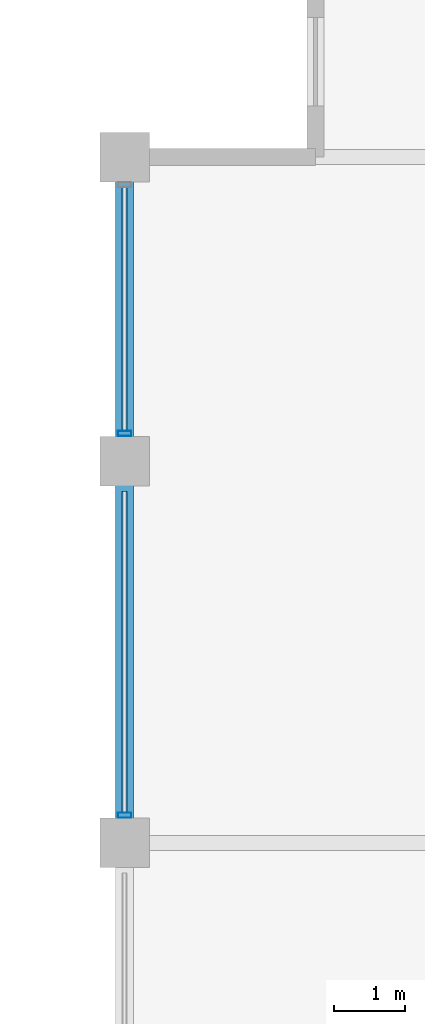
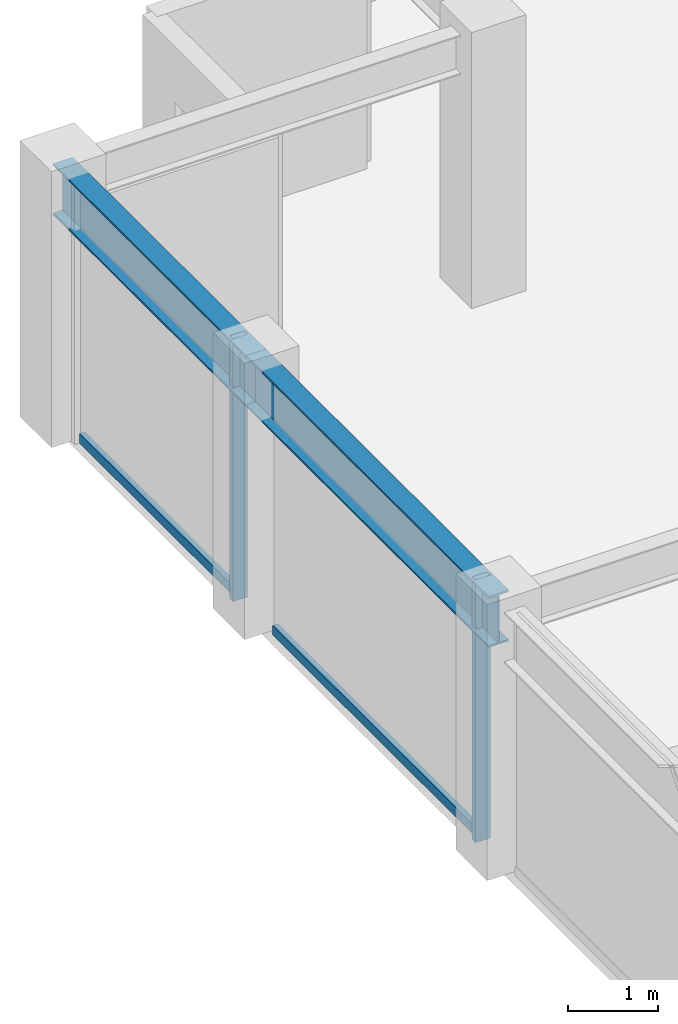
# One storey, part 13 of 30: 4 members, 2 beams, 1 element without a shape of its own.
"""IFC4 building model written with IfcOpenShell, lengths in metres."""

from ifc_helpers import new_model, si_unit, direction, frame, origin, origin_2d, place, context, subcontext, project, spatial, hollow_rectangle, i_section, extrude, material, layer, layer_set, material_profile, profile_set, type_object, element, aggregate, save


model = new_model("IFC4")

# Units and contexts
model_context = context("Model", 3, precision=1e-05, world=origin(), true_north=direction((0.0, 1.0)))
body_context = subcontext(model_context, "Body", "Model", "MODEL_VIEW")
ifc_project = project(units=[si_unit("LENGTHUNIT", "METRE"), si_unit("AREAUNIT", "SQUARE_METRE"), si_unit("VOLUMEUNIT", "CUBIC_METRE"), si_unit("PLANEANGLEUNIT", "RADIAN"), si_unit("MASSUNIT", "GRAM", prefix="KILO")], contexts=[model_context])

# Site, building, storey
site_placement = place(None, origin())
site = spatial("IfcSite", under=ifc_project, at=site_placement, CompositionType="ELEMENT")
building_placement = place(site_placement, origin())
building = spatial("IfcBuilding", under=site, at=building_placement, Name="Surkhivell Harbour Commons", CompositionType="ELEMENT")
storey_placement = place(building_placement, frame((0.0, 0.0, 303.75)))
storey = spatial("IfcBuildingStorey", under=building, at=storey_placement, Name="L79", CompositionType="ELEMENT", Elevation=303.75)

# Beams
ifc_material_1 = material(Name="Steel S355", Category="steel")
ifc_material_profile_1 = material_profile(ifc_material_1, i_section(OverallWidth=0.256103515625, OverallDepth=0.693115234375, WebThickness=0.014404296875, FlangeThickness=0.023681640625, at=origin_2d()), Name="UB686x254x170")
ifc_profile_set_1 = profile_set([ifc_material_profile_1], Name="Steel S355")
beam_type = type_object("IfcBeamType", Name="BM-SPN-686", PredefinedType="SPANDREL", material=ifc_profile_set_1)
beam_1_placement = place(storey_placement, frame((-27.0, 10.800048828125, 3.223388671875), z_axis=(0.0, 1.0, 0.0), x_axis=(-1.0, 0.0, 0.0)))
element("IfcBeam", 1, at=beam_1_placement, inside=storey, type_object=beam_type, Name="L79 Tube Spandrel (-27.0,10.8)", PredefinedType="SPANDREL", context=body_context, shape_type="SweptSolid", body=[
    extrude(i_section(OverallWidth=0.256103515625, OverallDepth=0.693115234375, WebThickness=0.014404296875, FlangeThickness=0.023681640625, at=origin_2d()), origin(), (0.0, 0.0, 1.0), 5.39990234375),
])
beam_2_placement = place(storey_placement, frame((-27.0, 16.199951171875, 3.223388671875), z_axis=(0.0, 1.0, 0.0), x_axis=(-1.0, 0.0, 0.0)))
element("IfcBeam", 2, at=beam_2_placement, inside=storey, type_object=beam_type, Name="L79 Tube Spandrel (-27.0,16.2)", PredefinedType="SPANDREL", context=body_context, shape_type="SweptSolid", body=[
    extrude(i_section(OverallWidth=0.256103515625, OverallDepth=0.693115234375, WebThickness=0.014404296875, FlangeThickness=0.023681640625, at=origin_2d()), origin(), (0.0, 0.0, 1.0), 4.300048828125),
])

# Curtain wall, members
ifc_material_2 = material(Name="Anodised pale-metal aluminium and insulated glazing", Category="aluminium")
ifc_layer = layer(ifc_material_2, 0.175048828125)
ifc_layer_set = layer_set([ifc_layer], Name="Anodised pale-metal aluminium and insulated glazing")
curtain_wall_type = type_object("IfcCurtainWallType", Name="CW-SYS-Z4", PredefinedType="NOTDEFINED", material=ifc_layer_set)
curtain_wall_placement = place(storey_placement, origin())
curtain_wall = element("IfcCurtainWall", 3, at=curtain_wall_placement, inside=storey, type_object=curtain_wall_type, Name="L79 Curtain Wall CW-L79-E12R2", PredefinedType="NOTDEFINED")
ifc_material_3 = material(Name="Anodised pale-metal aluminium alloy 6063-T6", Category="aluminium")
ifc_material_profile_2 = material_profile(ifc_material_3, hollow_rectangle(XDim=0.074951171875, YDim=0.18994140625, WallThickness=0.00390625, at=origin_2d()), Name="ALU-MULL-75x190")
ifc_profile_set_2 = profile_set([ifc_material_profile_2], Name="Anodised pale-metal aluminium alloy 6063-T6")
member_type_1 = type_object("IfcMemberType", Name="CWM-190", PredefinedType="MULLION", material=ifc_profile_set_2)
member_1_placement = place(storey_placement, frame((-27.0, 11.189453125, 0.0), z_axis=(0.0, 0.0, 1.0), x_axis=(0.0, 1.0, 0.0)))
member_1 = element("IfcMember", 4, at=member_1_placement, type_object=member_type_1, Name="CW-Z4 mullion 2", PredefinedType="MULLION", context=body_context, shape_type="SweptSolid", body=[
    extrude(hollow_rectangle(XDim=0.074951171875, YDim=0.18994140625, WallThickness=0.00390625, at=origin_2d()), origin(), (0.0, 0.0, 1.0), 3.570068359375),
])
member_2_placement = place(storey_placement, frame((-27.0, 16.589599609375, 0.0), z_axis=(0.0, 0.0, 1.0), x_axis=(0.0, 1.0, 0.0)))
member_2 = element("IfcMember", 5, at=member_2_placement, type_object=member_type_1, Name="CW-Z4 mullion 3", PredefinedType="MULLION", context=body_context, shape_type="SweptSolid", body=[
    extrude(hollow_rectangle(XDim=0.074951171875, YDim=0.18994140625, WallThickness=0.00390625, at=origin_2d()), origin(), (0.0, 0.0, 1.0), 3.570068359375),
])
ifc_material_4 = material(Name="Champagne anodised aluminium alloy 6063-T6", Category="aluminium")
ifc_material_profile_3 = material_profile(ifc_material_4, hollow_rectangle(XDim=0.070068359375, YDim=0.1298828125, WallThickness=0.00341796875, at=origin_2d()), Name="ALU-TRAN-70x130")
ifc_profile_set_3 = profile_set([ifc_material_profile_3], Name="Champagne anodised aluminium alloy 6063-T6")
member_type_2 = type_object("IfcMemberType", Name="CWT-130", PredefinedType="USERDEFINED", material=ifc_profile_set_3)
member_3_placement = place(storey_placement, frame((-27.0, 11.22705078125, 0.06494140625), z_axis=(0.0, 1.0, 0.0), x_axis=(-1.0, 0.0, 0.0)))
member_3 = element("IfcMember", 6, at=member_3_placement, type_object=member_type_2, Name="CW-Z4 transom 2.1", ObjectType="TRANSOM", PredefinedType="USERDEFINED", context=body_context, shape_type="SweptSolid", body=[
    extrude(hollow_rectangle(XDim=0.070068359375, YDim=0.1298828125, WallThickness=0.00341796875, at=origin_2d()), origin(), (0.0, 0.0, 1.0), 4.5458984375),
])
member_4_placement = place(storey_placement, frame((-27.0, 16.626953125, 0.06494140625), z_axis=(0.0, 1.0, 0.0), x_axis=(-1.0, 0.0, 0.0)))
member_4 = element("IfcMember", 7, at=member_4_placement, type_object=member_type_2, Name="CW-Z4 transom 3.1", ObjectType="TRANSOM", PredefinedType="USERDEFINED", context=body_context, shape_type="SweptSolid", body=[
    extrude(hollow_rectangle(XDim=0.070068359375, YDim=0.1298828125, WallThickness=0.00341796875, at=origin_2d()), origin(), (0.0, 0.0, 1.0), 3.446044921875),
])
aggregate(curtain_wall, [member_1, member_3, member_2, member_4])

save(model, "model.ifc")
